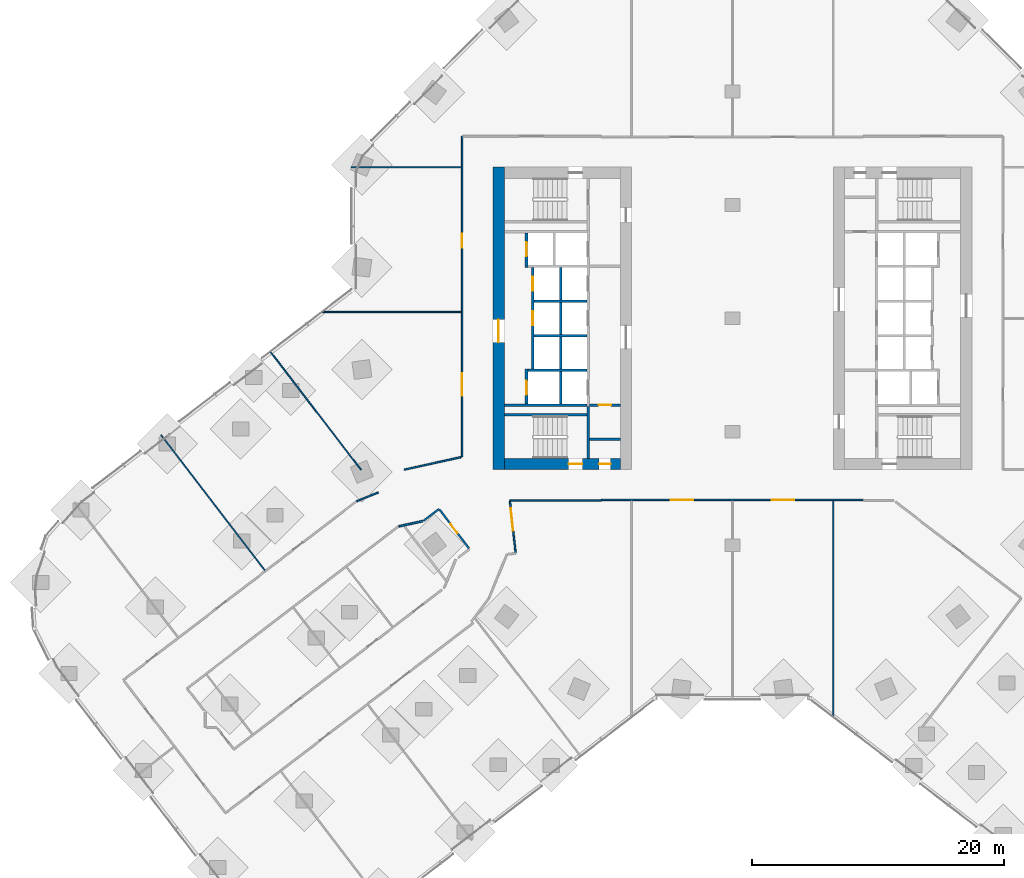
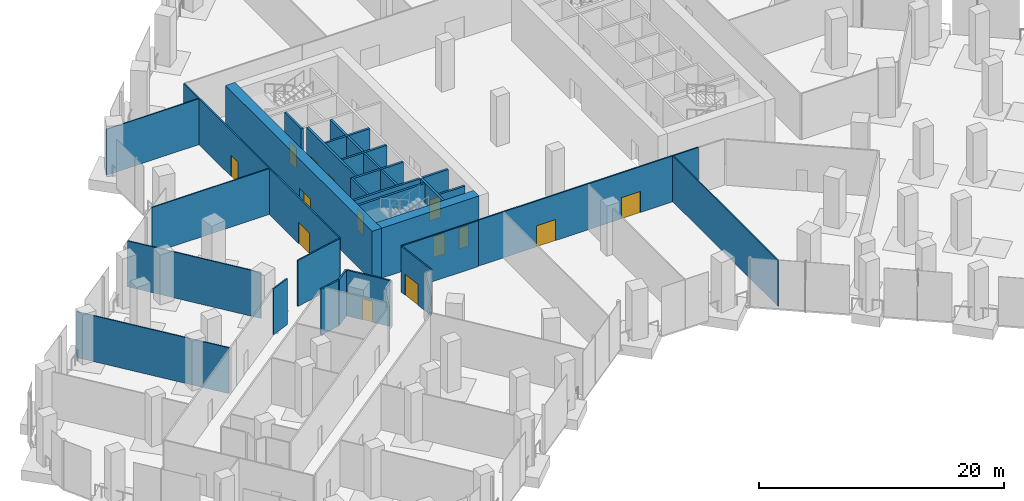
# One storey, part 19 of 27: 31 walls, 14 doors, 14 openings.
"""IFC4 building model written with IfcOpenShell, lengths in metres."""

from ifc_helpers import new_model, si_unit, direction, frame, frame_2d, origin, place, context, subcontext, project, spatial, rectangle, extrude, material, layer, layer_set, type_object, element, fill, save


model = new_model("IFC4")

# Units and contexts
model_context = context("Model", 3, precision=1e-05, world=origin(), true_north=direction((0.0, 1.0)))
body_context = subcontext(model_context, "Body", "Model", "MODEL_VIEW")
ifc_project = project(units=[si_unit("LENGTHUNIT", "METRE"), si_unit("AREAUNIT", "SQUARE_METRE"), si_unit("VOLUMEUNIT", "CUBIC_METRE"), si_unit("PLANEANGLEUNIT", "RADIAN"), si_unit("MASSUNIT", "GRAM", prefix="KILO")], contexts=[model_context])

# Site, building, storey
site_placement = place(None, origin())
site = spatial("IfcSite", under=ifc_project, at=site_placement, CompositionType="ELEMENT")
building_placement = place(site_placement, origin())
building = spatial("IfcBuilding", under=site, at=building_placement, Name="Orlundy Tower", CompositionType="ELEMENT")
storey_placement = place(building_placement, frame((0.0, 0.0, 10.5)))
storey = spatial("IfcBuildingStorey", under=building, at=storey_placement, Name="L01", CompositionType="ELEMENT", Elevation=10.5)

# Wall, openings, doors
ifc_material_1 = material(Name="Concrete C80/95", Category="concrete")
ifc_layer_1 = layer(ifc_material_1, 0.89990234375)
ifc_layer_set_1 = layer_set([ifc_layer_1], Name="CORE WALL 900 C80/95")
wall_type_1 = type_object("IfcWallType", Name="CORE WALL 900 C80/95", PredefinedType="SHEAR", material=ifc_layer_set_1)
wall_1_placement = place(storey_placement, frame((-18.10009765625, -11.550048828125, 0.0), z_axis=(0.0, 0.0, 1.0), x_axis=(1.0, 0.0, 0.0)))
wall_1 = element("IfcWall", 1, at=wall_1_placement, inside=storey, type_object=wall_type_1, Name="Core wall W-S L01", PredefinedType="SHEAR", context=body_context, shape_type="SweptSolid", body=[
    extrude(rectangle(XDim=9.2001953125, YDim=0.89990234375, at=frame_2d((4.60009765625, 0.0))), origin(), (0.0, 0.0, 1.0), 5.0),
])
opening_1_placement = place(wall_1_placement, frame((5.10009765625, 0.0, 0.0)))
opening_1 = element("IfcOpeningElement", 2, at=opening_1_placement, cuts=wall_1, Name="Opening 02013", PredefinedType="OPENING", context=body_context, shape_type="SweptSolid", body=[
    extrude(rectangle(XDim=1.10009765625, YDim=2.10009765625, at=frame_2d((0.550048828125, 1.050048828125))), frame((0.0, 0.4599609375, 0.0), z_axis=(0.0, -1.0, 0.0), x_axis=(1.0, 0.0, 0.0)), (0.0, 0.0, 1.0), 0.919921875),
])
opening_2_placement = place(wall_1_placement, frame((7.530029296875, 0.0, 0.0)))
opening_2 = element("IfcOpeningElement", 3, at=opening_2_placement, cuts=wall_1, Name="Opening 02015", PredefinedType="OPENING", context=body_context, shape_type="SweptSolid", body=[
    extrude(rectangle(XDim=0.89990234375, YDim=2.10009765625, at=frame_2d((0.449951171875, 1.050048828125))), frame((0.0, 0.4599609375, 0.0), z_axis=(0.0, -1.0, 0.0), x_axis=(1.0, 0.0, 0.0)), (0.0, 0.0, 1.0), 0.919921875),
])
ifc_material_2 = material(Name="Timber door set", Category="wood")
door_type_1 = type_object("IfcDoorType", Name="Room Door 900x2100", OperationType="SINGLE_SWING_LEFT", PredefinedType="DOOR", material=ifc_material_2)
door_1_placement = place(opening_2_placement, origin())
door_1 = element("IfcDoor", 4, at=door_1_placement, inside=storey, type_object=door_type_1, Name="Store door 02015", OperationType="SINGLE_SWING_RIGHT", OverallHeight=2.10009765625, OverallWidth=0.89990234375, PredefinedType="DOOR", context=body_context, shape_type="SweptSolid", body=[
    extrude(rectangle(XDim=0.89990234375, YDim=2.10009765625, at=frame_2d((0.449951171875, 1.050048828125))), frame((0.0, 0.02490234375, 0.0), z_axis=(0.0, -1.0, 0.0), x_axis=(1.0, 0.0, 0.0)), (0.0, 0.0, 1.0), 0.050048828125),
])
fill(opening_2, door_1)
ifc_material_3 = material(Name="Steel door set", Category="steel")
door_type_2 = type_object("IfcDoorType", Name="Stair Door 1100x2100", OperationType="SINGLE_SWING_LEFT", PredefinedType="DOOR", material=ifc_material_3)
door_2_placement = place(opening_1_placement, origin())
door_2 = element("IfcDoor", 5, at=door_2_placement, inside=storey, type_object=door_type_2, Name="Stair door 02013", OperationType="SINGLE_SWING_RIGHT", OverallHeight=2.10009765625, OverallWidth=1.10009765625, PredefinedType="DOOR", context=body_context, shape_type="SweptSolid", body=[
    extrude(rectangle(XDim=1.10009765625, YDim=2.10009765625, at=frame_2d((0.550048828125, 1.050048828125))), frame((0.0, 0.02490234375, 0.0), z_axis=(0.0, -1.0, 0.0), x_axis=(1.0, 0.0, 0.0)), (0.0, 0.0, 1.0), 0.050048828125),
])
fill(opening_1, door_2)

# Wall, opening, door
wall_2_placement = place(storey_placement, frame((-18.550048828125, -12.0, 0.0), z_axis=(0.0, 0.0, 1.0), x_axis=(0.0, 1.0, 0.0)))
wall_2 = element("IfcWall", 6, at=wall_2_placement, inside=storey, type_object=wall_type_1, Name="Core wall W-W L01", PredefinedType="SHEAR", context=body_context, shape_type="SweptSolid", body=[
    extrude(rectangle(XDim=24.0, YDim=0.89990234375, at=frame_2d((12.0, 0.0))), origin(), (0.0, 0.0, 1.0), 5.0),
])
opening_3_placement = place(wall_2_placement, frame((10.10009765625, 0.0, 0.0)))
opening_3 = element("IfcOpeningElement", 7, at=opening_3_placement, cuts=wall_2, Name="Opening 02010", PredefinedType="OPENING", context=body_context, shape_type="SweptSolid", body=[
    extrude(rectangle(XDim=1.800048828125, YDim=2.10009765625, at=frame_2d((0.89990234375, 1.050048828125))), frame((0.0, 0.4599609375, 0.0), z_axis=(0.0, -1.0, 0.0), x_axis=(1.0, 0.0, 0.0)), (0.0, 0.0, 1.0), 0.919921875),
])
ifc_material_4 = material(Name="Timber door set", Category="wood")
door_type_3 = type_object("IfcDoorType", Name="Lobby Door 1800x2100", OperationType="DOUBLE_DOOR_DOUBLE_SWING", PredefinedType="DOOR", material=ifc_material_4)
door_3_placement = place(opening_3_placement, origin())
door_3 = element("IfcDoor", 8, at=door_3_placement, inside=storey, type_object=door_type_3, Name="Lift lobby door 02010", OperationType="SINGLE_SWING_LEFT", OverallHeight=2.10009765625, OverallWidth=1.800048828125, PredefinedType="DOOR", context=body_context, shape_type="SweptSolid", body=[
    extrude(rectangle(XDim=1.800048828125, YDim=2.10009765625, at=frame_2d((0.89990234375, 1.050048828125))), frame((0.0, 0.02490234375, 0.0), z_axis=(0.0, -1.0, 0.0), x_axis=(1.0, 0.0, 0.0)), (0.0, 0.0, 1.0), 0.050048828125),
])
fill(opening_3, door_3)

# Walls
ifc_material_5 = material(Name="Gypsum board partition")
ifc_layer_2 = layer(ifc_material_5, 0.10009765625)
ifc_layer_set_2 = layer_set([ifc_layer_2], Name="Floor partition 100")
wall_type_2 = type_object("IfcWallType", Name="Floor partition 100", PredefinedType="PARTITIONING", material=ifc_layer_set_2)
wall_3_placement = place(storey_placement, frame((-45.33203125, -9.260009765625, 0.0), z_axis=(0.0, 0.0, 1.0), x_axis=(0.608825648604, -0.793304058733, 0.0)))
element("IfcWall", 9, at=wall_3_placement, inside=storey, type_object=wall_type_2, Name="wall-int-L01-009", PredefinedType="PARTITIONING", context=body_context, shape_type="SweptSolid", body=[
    extrude(rectangle(XDim=13.535888671875, YDim=0.10009765625, at=frame_2d((6.76806640625, 0.0))), origin(), (0.0, 0.0, 1.0), 4.580078125),
])
wall_4_placement = place(storey_placement, frame((-36.677978515625, -2.618896484375, 0.0), z_axis=(0.0, 0.0, 1.0), x_axis=(0.608769908396, -0.793346833757, 0.0)))
element("IfcWall", 10, at=wall_4_placement, inside=storey, type_object=wall_type_2, Name="wall-int-L01-013", PredefinedType="PARTITIONING", context=body_context, shape_type="SweptSolid", body=[
    extrude(rectangle(XDim=11.843505859375, YDim=0.10009765625, at=frame_2d((5.921875, 0.0))), origin(), (0.0, 0.0, 1.0), 4.580078125),
])
wall_5_placement = place(storey_placement, frame((-32.60791015625, 0.50390625, 0.0), z_axis=(0.0, 0.0, 1.0), x_axis=(1.0, 0.0, 0.0)))
element("IfcWall", 11, at=wall_5_placement, inside=storey, type_object=wall_type_2, Name="wall-int-L01-029", PredefinedType="PARTITIONING", context=body_context, shape_type="SweptSolid", body=[
    extrude(rectangle(XDim=11.095947265625, YDim=0.10009765625, at=frame_2d((5.5478515625, 0.0))), origin(), (0.0, 0.0, 1.0), 4.580078125),
])
wall_6_placement = place(storey_placement, frame((-30.25, 12.0, 0.0), z_axis=(0.0, 0.0, 1.0), x_axis=(1.0, 0.0, 0.0)))
element("IfcWall", 12, at=wall_6_placement, inside=storey, type_object=wall_type_2, Name="wall-int-L01-030", PredefinedType="PARTITIONING", context=body_context, shape_type="SweptSolid", body=[
    extrude(rectangle(XDim=8.738037109375, YDim=0.10009765625, at=frame_2d((4.369140625, 0.0))), origin(), (0.0, 0.0, 1.0), 4.580078125),
])
wall_7_placement = place(storey_placement, frame((8.0, -31.6630859375, 0.0), z_axis=(0.0, 0.0, 1.0), x_axis=(0.0, 1.0, 0.0)))
element("IfcWall", 13, at=wall_7_placement, inside=storey, type_object=wall_type_2, Name="wall-int-L01-067", PredefinedType="PARTITIONING", context=body_context, shape_type="SweptSolid", body=[
    extrude(rectangle(XDim=17.2001953125, YDim=0.10009765625, at=frame_2d((8.60009765625, 0.0))), origin(), (0.0, 0.0, 1.0), 4.580078125),
])

# Wall, opening, door
ifc_material_6 = material(Name="Gypsum board partition, double layer")
ifc_layer_3 = layer(ifc_material_6, 0.125)
ifc_layer_set_3 = layer_set([ifc_layer_3], Name="Floor partition 125")
wall_type_3 = type_object("IfcWallType", Name="Floor partition 125", PredefinedType="PARTITIONING", material=ifc_layer_set_3)
wall_8_placement = place(storey_placement, frame((-17.652099609375, -14.512939453125, 0.0), z_axis=(0.0, 0.0, 1.0), x_axis=(0.108833050521, -0.994060042007, 0.0)))
wall_8 = element("IfcWall", 14, at=wall_8_placement, inside=storey, type_object=wall_type_3, Name="wall-int-L01-001", PredefinedType="PARTITIONING", context=body_context, shape_type="SweptSolid", body=[
    extrude(rectangle(XDim=4.107421875, YDim=0.125, at=frame_2d((2.0537109375, 0.0))), origin(), (0.0, 0.0, 1.0), 4.580078125),
])
opening_4_placement = place(wall_8_placement, frame((0.53759765625, 0.0, 0.0)))
opening_4 = element("IfcOpeningElement", 15, at=opening_4_placement, cuts=wall_8, Name="Opening 02121", PredefinedType="OPENING", context=body_context, shape_type="SweptSolid", body=[
    extrude(rectangle(XDim=1.800048828125, YDim=2.10009765625, at=frame_2d((0.89990234375, 1.050048828125))), frame((0.0, 0.072509765625, 0.0), z_axis=(0.0, -1.0, 0.0), x_axis=(1.0, 0.0, 0.0)), (0.0, 0.0, 1.0), 0.14501953125),
])
ifc_material_7 = material(Name="Timber door leaf", Category="wood")
door_type_4 = type_object("IfcDoorType", Name="Floor door double 1800 FD30S", OperationType="NOTDEFINED", PredefinedType="DOOR", material=ifc_material_7)
door_4_placement = place(opening_4_placement, origin())
door_4 = element("IfcDoor", 16, at=door_4_placement, inside=storey, type_object=door_type_4, Name="Door 02121", OperationType="DOUBLE_DOOR_SINGLE_SWING", OverallHeight=2.10009765625, OverallWidth=1.800048828125, PredefinedType="DOOR", context=body_context, shape_type="SweptSolid", body=[
    extrude(rectangle(XDim=1.800048828125, YDim=2.10009765625, at=frame_2d((0.89990234375, 1.050048828125))), frame((0.0, 0.02490234375, 0.0), z_axis=(0.0, -1.0, 0.0), x_axis=(1.0, 0.0, 0.0)), (0.0, 0.0, 1.0), 0.050048828125),
])
fill(opening_4, door_4)

# Wall
wall_9_placement = place(storey_placement, frame((-17.658935546875, -14.450927734375, 0.0), z_axis=(0.0, 0.0, 1.0), x_axis=(1.0, 0.0, 0.0)))
element("IfcWall", 17, at=wall_9_placement, inside=storey, type_object=wall_type_3, Name="wall-int-L01-024", PredefinedType="PARTITIONING", context=body_context, shape_type="SweptSolid", body=[
    extrude(rectangle(XDim=7.267822265625, YDim=0.125, at=frame_2d((3.6337890625, 0.0))), origin(), (0.0, 0.0, 1.0), 4.580078125),
])

# Wall, openings, doors
wall_10_placement = place(storey_placement, frame((10.39111328125, -14.40087890625, 0.0), z_axis=(0.0, 0.0, 1.0), x_axis=(-1.0, 0.0, 0.0)))
wall_10 = element("IfcWall", 18, at=wall_10_placement, inside=storey, type_object=wall_type_3, Name="wall-int-L01-026", PredefinedType="PARTITIONING", context=body_context, shape_type="SweptSolid", body=[
    extrude(rectangle(XDim=20.781005859375, YDim=0.125, at=frame_2d((10.390625, 0.0))), origin(), (0.0, 0.0, 1.0), 4.580078125),
])
opening_5_placement = place(wall_10_placement, frame((13.490966796875, 0.0, 0.0)))
opening_5 = element("IfcOpeningElement", 19, at=opening_5_placement, cuts=wall_10, Name="Opening 02122", PredefinedType="OPENING", context=body_context, shape_type="SweptSolid", body=[
    extrude(rectangle(XDim=1.800048828125, YDim=2.10009765625, at=frame_2d((0.89990234375, 1.050048828125))), frame((0.0, 0.072509765625, 0.0), z_axis=(0.0, -1.0, 0.0), x_axis=(1.0, 0.0, 0.0)), (0.0, 0.0, 1.0), 0.14501953125),
])
opening_6_placement = place(wall_10_placement, frame((5.490966796875, 0.0, 0.0)))
opening_6 = element("IfcOpeningElement", 20, at=opening_6_placement, cuts=wall_10, Name="Opening 02123", PredefinedType="OPENING", context=body_context, shape_type="SweptSolid", body=[
    extrude(rectangle(XDim=1.800048828125, YDim=2.10009765625, at=frame_2d((0.89990234375, 1.050048828125))), frame((0.0, 0.072509765625, 0.0), z_axis=(0.0, -1.0, 0.0), x_axis=(1.0, 0.0, 0.0)), (0.0, 0.0, 1.0), 0.14501953125),
])
door_5_placement = place(opening_5_placement, origin())
door_5 = element("IfcDoor", 21, at=door_5_placement, inside=storey, type_object=door_type_4, Name="Door 02122", OperationType="DOUBLE_DOOR_SINGLE_SWING", OverallHeight=2.10009765625, OverallWidth=1.800048828125, PredefinedType="DOOR", context=body_context, shape_type="SweptSolid", body=[
    extrude(rectangle(XDim=1.800048828125, YDim=2.10009765625, at=frame_2d((0.89990234375, 1.050048828125))), frame((0.0, 0.02490234375, 0.0), z_axis=(0.0, -1.0, 0.0), x_axis=(1.0, 0.0, 0.0)), (0.0, 0.0, 1.0), 0.050048828125),
])
fill(opening_5, door_5)
door_6_placement = place(opening_6_placement, origin())
door_6 = element("IfcDoor", 22, at=door_6_placement, inside=storey, type_object=door_type_4, Name="Door 02123", OperationType="DOUBLE_DOOR_SINGLE_SWING", OverallHeight=2.10009765625, OverallWidth=1.800048828125, PredefinedType="DOOR", context=body_context, shape_type="SweptSolid", body=[
    extrude(rectangle(XDim=1.800048828125, YDim=2.10009765625, at=frame_2d((0.89990234375, 1.050048828125))), frame((0.0, 0.02490234375, 0.0), z_axis=(0.0, -1.0, 0.0), x_axis=(1.0, 0.0, 0.0)), (0.0, 0.0, 1.0), 0.050048828125),
])
fill(opening_6, door_6)

# Walls
wall_11_placement = place(storey_placement, frame((-26.0419921875, -12.0, 0.0), z_axis=(0.0, 0.0, 1.0), x_axis=(0.976761331961, 0.214329886822, 0.0)))
element("IfcWall", 23, at=wall_11_placement, inside=storey, type_object=wall_type_3, Name="wall-int-L01-037", PredefinedType="PARTITIONING", context=body_context, shape_type="SweptSolid", body=[
    extrude(rectangle(XDim=4.62353515625, YDim=0.125, at=frame_2d((2.311767578125, 0.0))), origin(), (0.0, 0.0, 1.0), 4.580078125),
])
wall_12_placement = place(storey_placement, frame((-29.81005859375, -14.512939453125, 0.0), z_axis=(0.0, 0.0, 1.0), x_axis=(0.923811400228, 0.382847876851, 0.0)))
element("IfcWall", 24, at=wall_12_placement, inside=storey, type_object=wall_type_3, Name="wall-int-L01-038", PredefinedType="PARTITIONING", context=body_context, shape_type="SweptSolid", body=[
    extrude(rectangle(XDim=1.8544921875, YDim=0.125, at=frame_2d((0.92724609375, 0.0))), origin(), (0.0, 0.0, 1.0), 4.580078125),
])

# Wall, openings, doors
wall_13_placement = place(storey_placement, frame((-21.449951171875, -10.991943359375, 0.0), z_axis=(0.0, 0.0, 1.0), x_axis=(0.0, 1.0, 0.0)))
wall_13 = element("IfcWall", 25, at=wall_13_placement, inside=storey, type_object=wall_type_3, Name="wall-int-L01-073", PredefinedType="PARTITIONING", context=body_context, shape_type="SweptSolid", body=[
    extrude(rectangle(XDim=25.44287109375, YDim=0.125, at=frame_2d((12.721435546875, 0.0))), origin(), (0.0, 0.0, 1.0), 4.580078125),
])
opening_7_placement = place(wall_13_placement, frame((4.85009765625, 0.0, 0.0)))
opening_7 = element("IfcOpeningElement", 26, at=opening_7_placement, cuts=wall_13, Name="Opening 02120", PredefinedType="OPENING", context=body_context, shape_type="SweptSolid", body=[
    extrude(rectangle(XDim=1.800048828125, YDim=2.10009765625, at=frame_2d((0.89990234375, 1.050048828125))), frame((0.0, 0.072509765625, 0.0), z_axis=(0.0, -1.0, 0.0), x_axis=(1.0, 0.0, 0.0)), (0.0, 0.0, 1.0), 0.14501953125),
])
opening_8_placement = place(wall_13_placement, frame((16.595947265625, 0.0, 0.0)))
opening_8 = element("IfcOpeningElement", 27, at=opening_8_placement, cuts=wall_13, Name="Opening 02131", PredefinedType="OPENING", context=body_context, shape_type="SweptSolid", body=[
    extrude(rectangle(XDim=1.10009765625, YDim=2.10009765625, at=frame_2d((0.550048828125, 1.050048828125))), frame((0.0, 0.072509765625, 0.0), z_axis=(0.0, -1.0, 0.0), x_axis=(1.0, 0.0, 0.0)), (0.0, 0.0, 1.0), 0.14501953125),
])
door_7_placement = place(opening_7_placement, origin())
door_7 = element("IfcDoor", 28, at=door_7_placement, inside=storey, type_object=door_type_4, Name="Door 02120", OperationType="DOUBLE_DOOR_SINGLE_SWING", OverallHeight=2.10009765625, OverallWidth=1.800048828125, PredefinedType="DOOR", context=body_context, shape_type="SweptSolid", body=[
    extrude(rectangle(XDim=1.800048828125, YDim=2.10009765625, at=frame_2d((0.89990234375, 1.050048828125))), frame((0.0, 0.02490234375, 0.0), z_axis=(0.0, -1.0, 0.0), x_axis=(1.0, 0.0, 0.0)), (0.0, 0.0, 1.0), 0.050048828125),
])
fill(opening_7, door_7)
ifc_material_8 = material(Name="Timber door leaf", Category="wood")
door_type_5 = type_object("IfcDoorType", Name="Floor door xwide 1100 FD30S", OperationType="NOTDEFINED", PredefinedType="DOOR", material=ifc_material_8)
door_8_placement = place(opening_8_placement, origin())
door_8 = element("IfcDoor", 29, at=door_8_placement, inside=storey, type_object=door_type_5, Name="Door 02131", OperationType="SINGLE_SWING_RIGHT", OverallHeight=2.10009765625, OverallWidth=1.10009765625, PredefinedType="DOOR", context=body_context, shape_type="SweptSolid", body=[
    extrude(rectangle(XDim=1.10009765625, YDim=2.10009765625, at=frame_2d((0.550048828125, 1.050048828125))), frame((0.0, 0.02490234375, 0.0), z_axis=(0.0, -1.0, 0.0), x_axis=(1.0, 0.0, 0.0)), (0.0, 0.0, 1.0), 0.050048828125),
])
fill(opening_8, door_8)

# Wall, opening, door
ifc_material_9 = material(Name="Blockwork shaft wall", Category="masonry")
ifc_layer_4 = layer(ifc_material_9, 0.14990234375)
ifc_layer_set_4 = layer_set([ifc_layer_4], Name="Floor shaft wall 150")
wall_type_4 = type_object("IfcWallType", Name="Floor shaft wall 150", PredefinedType="PARTITIONING", material=ifc_layer_set_4)
wall_14_placement = place(storey_placement, frame((-20.903076171875, -18.24609375, 0.0), z_axis=(0.0, 0.0, 1.0), x_axis=(-0.603799066409, 0.797136555054, 0.0)))
wall_14 = element("IfcWall", 30, at=wall_14_placement, inside=storey, type_object=wall_type_4, Name="wall-int-L01-002", PredefinedType="PARTITIONING", context=body_context, shape_type="SweptSolid", body=[
    extrude(rectangle(XDim=3.848876953125, YDim=0.14990234375, at=frame_2d((1.92431640625, 0.0))), origin(), (0.0, 0.0, 1.0), 4.580078125),
])
opening_9_placement = place(wall_14_placement, frame((1.52490234375, 0.0, 0.0)))
opening_9 = element("IfcOpeningElement", 31, at=opening_9_placement, cuts=wall_14, Name="Opening 02119", PredefinedType="OPENING", context=body_context, shape_type="SweptSolid", body=[
    extrude(rectangle(XDim=0.89990234375, YDim=2.10009765625, at=frame_2d((0.449951171875, 1.050048828125))), frame((0.0, 0.0849609375, 0.0), z_axis=(0.0, -1.0, 0.0), x_axis=(1.0, 0.0, 0.0)), (0.0, 0.0, 1.0), 0.169921875),
])
ifc_material_10 = material(Name="Timber door leaf", Category="wood")
door_type_6 = type_object("IfcDoorType", Name="Floor door single 900 FD60", OperationType="NOTDEFINED", PredefinedType="DOOR", material=ifc_material_10)
door_9_placement = place(opening_9_placement, origin())
door_9 = element("IfcDoor", 32, at=door_9_placement, inside=storey, type_object=door_type_6, Name="Door 02119", OperationType="SINGLE_SWING_RIGHT", OverallHeight=2.10009765625, OverallWidth=0.89990234375, PredefinedType="DOOR", context=body_context, shape_type="SweptSolid", body=[
    extrude(rectangle(XDim=0.89990234375, YDim=2.10009765625, at=frame_2d((0.449951171875, 1.050048828125))), frame((0.0, 0.02490234375, 0.0), z_axis=(0.0, -1.0, 0.0), x_axis=(1.0, 0.0, 0.0)), (0.0, 0.0, 1.0), 0.050048828125),
])
fill(opening_9, door_9)

# Walls
wall_15_placement = place(storey_placement, frame((-26.464111328125, -16.4970703125, 0.0), z_axis=(0.0, 0.0, 1.0), x_axis=(0.976601904513, 0.215055155954, 0.0)))
element("IfcWall", 33, at=wall_15_placement, inside=storey, type_object=wall_type_4, Name="wall-int-L01-036", PredefinedType="PARTITIONING", context=body_context, shape_type="SweptSolid", body=[
    extrude(rectangle(XDim=1.902587890625, YDim=0.14990234375, at=frame_2d((0.951171875, 0.0))), origin(), (0.0, 0.0, 1.0), 4.580078125),
])
wall_16_placement = place(storey_placement, frame((-24.531982421875, -16.072021484375, 0.0), z_axis=(0.0, 0.0, 1.0), x_axis=(0.797229566058, 0.603676253469, 0.0)))
element("IfcWall", 34, at=wall_16_placement, inside=storey, type_object=wall_type_4, Name="wall-int-L01-040", PredefinedType="PARTITIONING", context=body_context, shape_type="SweptSolid", body=[
    extrude(rectangle(XDim=1.58056640625, YDim=0.14990234375, at=frame_2d((0.790283203125, 0.0))), origin(), (0.0, 0.0, 1.0), 4.580078125),
])
ifc_material_11 = material(Name="Concrete C40/50", Category="concrete")
ifc_layer_5 = layer(ifc_material_11, 0.199951171875)
ifc_layer_set_5 = layer_set([ifc_layer_5], Name="Load-bearing Shaft Wall 200")
wall_type_5 = type_object("IfcWallType", Name="Load-bearing Shaft Wall 200", PredefinedType="SOLIDWALL", material=ifc_layer_set_5)
wall_17_placement = place(storey_placement, frame((-11.43994140625, -11.10009765625, 0.0), z_axis=(0.0, 0.0, 1.0), x_axis=(0.0, 1.0, 0.0)))
element("IfcWall", 35, at=wall_17_placement, inside=storey, type_object=wall_type_5, Name="Shaft wall W02-stair-end-s", PredefinedType="SOLIDWALL", context=body_context, shape_type="SweptSolid", body=[
    extrude(rectangle(XDim=4.125, YDim=0.199951171875, at=frame_2d((2.0625, 0.0))), origin(), (0.0, 0.0, 1.0), 4.590087890625),
])
wall_18_placement = place(storey_placement, frame((-11.5400390625, -7.64990234375, 0.0), z_axis=(0.0, 0.0, 1.0), x_axis=(-1.0, 0.0, 0.0)))
element("IfcWall", 36, at=wall_18_placement, inside=storey, type_object=wall_type_5, Name="Shaft wall W02-stair-side-s", PredefinedType="SOLIDWALL", context=body_context, shape_type="SweptSolid", body=[
    extrude(rectangle(XDim=6.56005859375, YDim=0.199951171875, at=frame_2d((3.280029296875, 0.0))), origin(), (0.0, 0.0, 1.0), 4.590087890625),
])

# Wall, opening, door
ifc_material_12 = material(Name="Gypsum board partition on steel studs", Category="steel")
ifc_layer_6 = layer(ifc_material_12, 0.199951171875)
ifc_layer_set_6 = layer_set([ifc_layer_6], Name="Partition 200")
wall_type_6 = type_object("IfcWallType", Name="Partition 200", PredefinedType="PARTITIONING", material=ifc_layer_set_6)
wall_19_placement = place(storey_placement, frame((-8.89990234375, -6.875, 0.0), z_axis=(0.0, 0.0, 1.0), x_axis=(-1.0, 0.0, 0.0)))
wall_19 = element("IfcWall", 37, at=wall_19_placement, inside=storey, type_object=wall_type_6, Name="Partition wall W02-end-s", PredefinedType="PARTITIONING", context=body_context, shape_type="SweptSolid", body=[
    extrude(rectangle(XDim=2.440185546875, YDim=0.199951171875, at=frame_2d((1.22021484375, 0.0))), origin(), (0.0, 0.0, 1.0), 4.590087890625),
])
opening_10_placement = place(wall_19_placement, frame((0.719970703125, 0.0, 0.0)))
opening_10 = element("IfcOpeningElement", 38, at=opening_10_placement, cuts=wall_19, Name="Opening 02016", PredefinedType="OPENING", context=body_context, shape_type="SweptSolid", body=[
    extrude(rectangle(XDim=1.0, YDim=2.10009765625, at=frame_2d((0.5, 1.050048828125))), frame((0.0, 0.110107421875, 0.0), z_axis=(0.0, -1.0, 0.0), x_axis=(1.0, 0.0, 0.0)), (0.0, 0.0, 1.0), 0.22021484375),
])
ifc_material_13 = material(Name="Timber door set", Category="wood")
door_type_7 = type_object("IfcDoorType", Name="Accessible Door 1000x2100", OperationType="SINGLE_SWING_LEFT", PredefinedType="DOOR", material=ifc_material_13)
door_10_placement = place(opening_10_placement, origin())
door_10 = element("IfcDoor", 39, at=door_10_placement, inside=storey, type_object=door_type_7, Name="Accessible WC door 02016", OperationType="SINGLE_SWING_RIGHT", OverallHeight=2.10009765625, OverallWidth=1.0, PredefinedType="DOOR", context=body_context, shape_type="SweptSolid", body=[
    extrude(rectangle(XDim=1.0, YDim=2.10009765625, at=frame_2d((0.5, 1.050048828125))), frame((0.0, 0.02490234375, 0.0), z_axis=(0.0, -1.0, 0.0), x_axis=(1.0, 0.0, 0.0)), (0.0, 0.0, 1.0), 0.050048828125),
])
fill(opening_10, door_10)

# Walls
wall_20_placement = place(storey_placement, frame((-8.89990234375, -9.60009765625, 0.0), z_axis=(0.0, 0.0, 1.0), x_axis=(-1.0, 0.0, 0.0)))
element("IfcWall", 40, at=wall_20_placement, inside=storey, type_object=wall_type_6, Name="Partition wall W02-room-s0", PredefinedType="PARTITIONING", context=body_context, shape_type="SweptSolid", body=[
    extrude(rectangle(XDim=2.440185546875, YDim=0.199951171875, at=frame_2d((1.22021484375, 0.0))), origin(), (0.0, 0.0, 1.0), 4.590087890625),
])
ifc_material_14 = material(Name="Fire-rated blockwork shaft wall", Category="masonry")
ifc_layer_7 = layer(ifc_material_14, 0.199951171875)
ifc_layer_set_7 = layer_set([ifc_layer_7], Name="Shaft Wall 200")
wall_type_7 = type_object("IfcWallType", Name="Shaft Wall 200", PredefinedType="SOLIDWALL", material=ifc_layer_set_7)
wall_21_placement = place(storey_placement, frame((-11.5400390625, -6.875, 0.0), z_axis=(0.0, 0.0, 1.0), x_axis=(-1.0, 0.0, 0.0)))
element("IfcWall", 41, at=wall_21_placement, inside=storey, type_object=wall_type_7, Name="Shaft wall W02-zone-s", PredefinedType="SOLIDWALL", context=body_context, shape_type="SweptSolid", body=[
    extrude(rectangle(XDim=6.56005859375, YDim=0.199951171875, at=frame_2d((3.280029296875, 0.0))), origin(), (0.0, 0.0, 1.0), 4.590087890625),
])
wall_22_placement = place(storey_placement, frame((-11.5400390625, -4.125, 0.0), z_axis=(0.0, 0.0, 1.0), x_axis=(-1.0, 0.0, 0.0)))
element("IfcWall", 42, at=wall_22_placement, inside=storey, type_object=wall_type_7, Name="Shaft wall W02-cross-4.125", PredefinedType="SOLIDWALL", context=body_context, shape_type="SweptSolid", body=[
    extrude(rectangle(XDim=4.699951171875, YDim=0.199951171875, at=frame_2d((2.35009765625, 0.0))), origin(), (0.0, 0.0, 1.0), 4.590087890625),
])
for number, where, z_axis, x_axis, name in (
    (43, (-11.5400390625, -1.375, 0.0), (0.0, 0.0, 1.0), (-1.0, 0.0, 0.0), "Shaft wall W02-cross-1.375"),
    (44, (-11.5400390625, 1.375, 0.0), (0.0, 0.0, 1.0), (-1.0, 0.0, 0.0), "Shaft wall W02-cross+1.375"),
):
    element("IfcWall", number, at=place(storey_placement, frame(where, z_axis=z_axis, x_axis=x_axis)), inside=storey, type_object=wall_type_7, Name=name, PredefinedType="SOLIDWALL", context=body_context, shape_type="SweptSolid", body=[
        extrude(rectangle(XDim=4.199951171875, YDim=0.199951171875, at=frame_2d((2.10009765625, 0.0))), origin(), (0.0, 0.0, 1.0), 4.590087890625),
    ])
for number, where, z_axis, x_axis, name in (
    (45, (-13.639892578125, -6.77490234375, 0.0), (0.0, 0.0, 1.0), (0.0, 1.0, 0.0), "Shaft wall W02-mid-a"),
    (46, (-13.639892578125, -4.02490234375, 0.0), (0.0, 0.0, 1.0), (0.0, 1.0, 0.0), "Shaft wall W02-mid-a.1"),
    (47, (-13.639892578125, -1.27490234375, 0.0), (0.0, 0.0, 1.0), (0.0, 1.0, 0.0), "Shaft wall W02-mid-a.2"),
    (48, (-13.639892578125, 1.47509765625, 0.0), (0.0, 0.0, 1.0), (0.0, 1.0, 0.0), "Shaft wall W02-mid-a.3"),
):
    element("IfcWall", number, at=place(storey_placement, frame(where, z_axis=z_axis, x_axis=x_axis)), inside=storey, type_object=wall_type_7, Name=name, PredefinedType="SOLIDWALL", context=body_context, shape_type="SweptSolid", body=[
        extrude(rectangle(XDim=2.5498046875, YDim=0.199951171875, at=frame_2d((1.27490234375, 0.0))), origin(), (0.0, 0.0, 1.0), 4.590087890625),
    ])

# Wall, opening, door
wall_23_placement = place(storey_placement, frame((-16.340087890625, -6.77490234375, 0.0), z_axis=(0.0, 0.0, 1.0), x_axis=(0.0, 1.0, 0.0)))
wall_23 = element("IfcWall", 49, at=wall_23_placement, inside=storey, type_object=wall_type_7, Name="Shaft wall W02-front-o-a", PredefinedType="SOLIDWALL", context=body_context, shape_type="SweptSolid", body=[
    extrude(rectangle(XDim=2.75, YDim=0.199951171875, at=frame_2d((1.375, 0.0))), origin(), (0.0, 0.0, 1.0), 4.590087890625),
])
opening_11_placement = place(wall_23_placement, frame((0.72509765625, 0.0, 0.0)))
opening_11 = element("IfcOpeningElement", 50, at=opening_11_placement, cuts=wall_23, Name="Opening 02002", PredefinedType="OPENING", context=body_context, shape_type="SweptSolid", body=[
    extrude(rectangle(XDim=1.10009765625, YDim=2.10009765625, at=frame_2d((0.550048828125, 1.050048828125))), frame((0.0, 0.110107421875, 0.0), z_axis=(0.0, -1.0, 0.0), x_axis=(1.0, 0.0, 0.0)), (0.0, 0.0, 1.0), 0.22021484375),
])
ifc_material_15 = material(Name="Steel door set", Category="steel")
door_type_8 = type_object("IfcDoorType", Name="Landing Door 1100x2100", OperationType="DOUBLE_DOOR_SLIDING", PredefinedType="DOOR", material=ifc_material_15)
door_11_placement = place(opening_11_placement, origin())
door_11 = element("IfcDoor", 51, at=door_11_placement, inside=storey, type_object=door_type_8, Name="Lift landing door LV-01 02002", OperationType="DOUBLE_DOOR_SLIDING", OverallHeight=2.10009765625, OverallWidth=1.10009765625, PredefinedType="DOOR", context=body_context, shape_type="SweptSolid", body=[
    extrude(rectangle(XDim=1.10009765625, YDim=2.10009765625, at=frame_2d((0.550048828125, 1.050048828125))), frame((0.0, 0.02490234375, 0.0), z_axis=(0.0, -1.0, 0.0), x_axis=(1.0, 0.0, 0.0)), (0.0, 0.0, 1.0), 0.050048828125),
])
fill(opening_11, door_11)

# Wall, openings, doors
wall_24_placement = place(storey_placement, frame((-15.840087890625, -4.02490234375, 0.0), z_axis=(0.0, 0.0, 1.0), x_axis=(0.0, 1.0, 0.0)))
wall_24 = element("IfcWall", 52, at=wall_24_placement, inside=storey, type_object=wall_type_7, Name="Shaft wall W02-front-o-b", PredefinedType="SOLIDWALL", context=body_context, shape_type="SweptSolid", body=[
    extrude(rectangle(XDim=8.0498046875, YDim=0.199951171875, at=frame_2d((4.02490234375, 0.0))), origin(), (0.0, 0.0, 1.0), 4.590087890625),
])
opening_12_placement = place(wall_24_placement, frame((3.47509765625, 0.0, 0.0)))
opening_12 = element("IfcOpeningElement", 53, at=opening_12_placement, cuts=wall_24, Name="Opening 02004", PredefinedType="OPENING", context=body_context, shape_type="SweptSolid", body=[
    extrude(rectangle(XDim=1.10009765625, YDim=2.10009765625, at=frame_2d((0.550048828125, 1.050048828125))), frame((0.0, 0.110107421875, 0.0), z_axis=(0.0, -1.0, 0.0), x_axis=(1.0, 0.0, 0.0)), (0.0, 0.0, 1.0), 0.22021484375),
])
opening_13_placement = place(wall_24_placement, frame((6.22509765625, 0.0, 0.0)))
opening_13 = element("IfcOpeningElement", 54, at=opening_13_placement, cuts=wall_24, Name="Opening 02006", PredefinedType="OPENING", context=body_context, shape_type="SweptSolid", body=[
    extrude(rectangle(XDim=1.10009765625, YDim=2.10009765625, at=frame_2d((0.550048828125, 1.050048828125))), frame((0.0, 0.110107421875, 0.0), z_axis=(0.0, -1.0, 0.0), x_axis=(1.0, 0.0, 0.0)), (0.0, 0.0, 1.0), 0.22021484375),
])
door_12_placement = place(opening_12_placement, origin())
door_12 = element("IfcDoor", 55, at=door_12_placement, inside=storey, type_object=door_type_8, Name="Lift landing door LP-01 02004", OperationType="DOUBLE_DOOR_SLIDING", OverallHeight=2.10009765625, OverallWidth=1.10009765625, PredefinedType="DOOR", context=body_context, shape_type="SweptSolid", body=[
    extrude(rectangle(XDim=1.10009765625, YDim=2.10009765625, at=frame_2d((0.550048828125, 1.050048828125))), frame((0.0, 0.02490234375, 0.0), z_axis=(0.0, -1.0, 0.0), x_axis=(1.0, 0.0, 0.0)), (0.0, 0.0, 1.0), 0.050048828125),
])
fill(opening_12, door_12)
door_13_placement = place(opening_13_placement, origin())
door_13 = element("IfcDoor", 56, at=door_13_placement, inside=storey, type_object=door_type_8, Name="Lift landing door LP-03 02006", OperationType="DOUBLE_DOOR_SLIDING", OverallHeight=2.10009765625, OverallWidth=1.10009765625, PredefinedType="DOOR", context=body_context, shape_type="SweptSolid", body=[
    extrude(rectangle(XDim=1.10009765625, YDim=2.10009765625, at=frame_2d((0.550048828125, 1.050048828125))), frame((0.0, 0.02490234375, 0.0), z_axis=(0.0, -1.0, 0.0), x_axis=(1.0, 0.0, 0.0)), (0.0, 0.0, 1.0), 0.050048828125),
])
fill(opening_13, door_13)

# Wall, opening, door
wall_25_placement = place(storey_placement, frame((-16.340087890625, 4.02490234375, 0.0), z_axis=(0.0, 0.0, 1.0), x_axis=(0.0, 1.0, 0.0)))
wall_25 = element("IfcWall", 57, at=wall_25_placement, inside=storey, type_object=wall_type_7, Name="Shaft wall W02-front-o-c", PredefinedType="SOLIDWALL", context=body_context, shape_type="SweptSolid", body=[
    extrude(rectangle(XDim=2.75, YDim=0.199951171875, at=frame_2d((1.375, 0.0))), origin(), (0.0, 0.0, 1.0), 4.590087890625),
])
opening_14_placement = place(wall_25_placement, frame((0.925048828125, 0.0, 0.0)))
opening_14 = element("IfcOpeningElement", 58, at=opening_14_placement, cuts=wall_25, Name="Opening 02008", PredefinedType="OPENING", context=body_context, shape_type="SweptSolid", body=[
    extrude(rectangle(XDim=1.10009765625, YDim=2.10009765625, at=frame_2d((0.550048828125, 1.050048828125))), frame((0.0, 0.110107421875, 0.0), z_axis=(0.0, -1.0, 0.0), x_axis=(1.0, 0.0, 0.0)), (0.0, 0.0, 1.0), 0.22021484375),
])
door_14_placement = place(opening_14_placement, origin())
door_14 = element("IfcDoor", 59, at=door_14_placement, inside=storey, type_object=door_type_8, Name="Lift landing door LP-04 02008", OperationType="DOUBLE_DOOR_SLIDING", OverallHeight=2.10009765625, OverallWidth=1.10009765625, PredefinedType="DOOR", context=body_context, shape_type="SweptSolid", body=[
    extrude(rectangle(XDim=1.10009765625, YDim=2.10009765625, at=frame_2d((0.550048828125, 1.050048828125))), frame((0.0, 0.02490234375, 0.0), z_axis=(0.0, -1.0, 0.0), x_axis=(1.0, 0.0, 0.0)), (0.0, 0.0, 1.0), 0.050048828125),
])
fill(opening_14, door_14)

save(model, "model.ifc")
